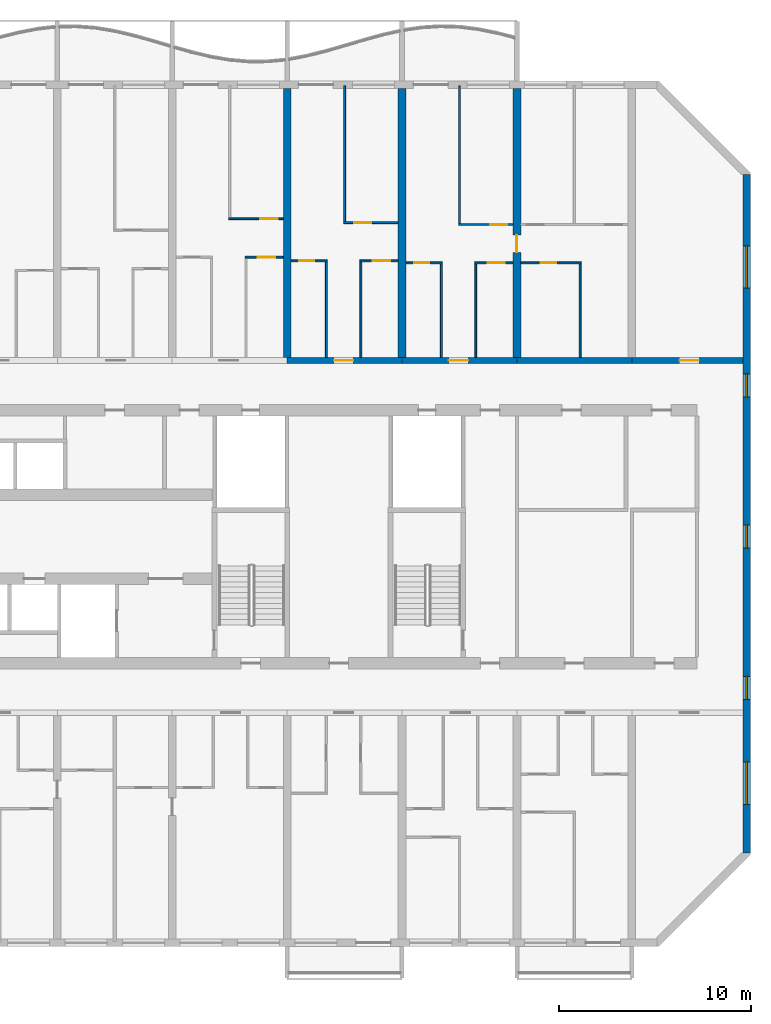
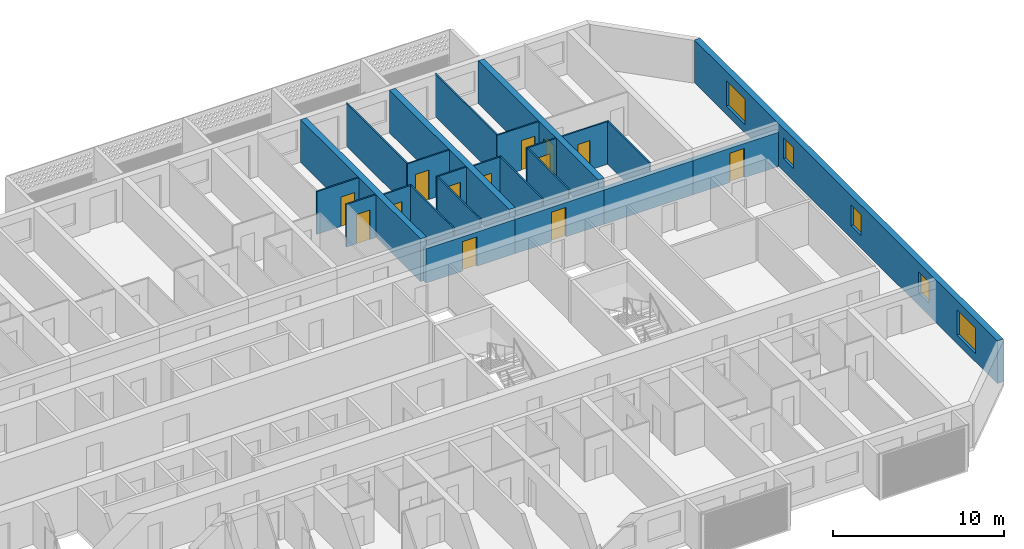
# One storey, part 15 of 39: 24 walls, 13 doors, 5 windows, 18 openings.
"""IFC4 building model written with IfcOpenShell, lengths in metres."""

from ifc_helpers import new_model, si_unit, direction, frame, frame_2d, origin, place, context, subcontext, project, spatial, rectangle, extrude, material, layer, layer_set, type_object, element, fill, save


model = new_model("IFC4")

# Units and contexts
model_context = context("Model", 3, precision=1e-05, world=origin(), true_north=direction((0.0, 1.0)))
body_context = subcontext(model_context, "Body", "Model", "MODEL_VIEW")
ifc_project = project(units=[si_unit("LENGTHUNIT", "METRE"), si_unit("AREAUNIT", "SQUARE_METRE"), si_unit("VOLUMEUNIT", "CUBIC_METRE"), si_unit("PLANEANGLEUNIT", "RADIAN"), si_unit("MASSUNIT", "GRAM", prefix="KILO")], contexts=[model_context])

# Site, building, storey
site_placement = place(None, origin())
site = spatial("IfcSite", under=ifc_project, at=site_placement, CompositionType="ELEMENT")
building_placement = place(site_placement, origin())
building = spatial("IfcBuilding", under=site, at=building_placement, Name="Poui Terraces", CompositionType="ELEMENT")
storey_placement = place(building_placement, frame((0.0, 0.0, 59.699951171875)))
storey = spatial("IfcBuildingStorey", under=building, at=storey_placement, Name="L16", CompositionType="ELEMENT", Elevation=59.699951171875)

# Wall, opening, door
ifc_material_1 = material(Name="Concrete 80 MPa", Category="concrete")
ifc_layer_1 = layer(ifc_material_1, 0.300048828125)
ifc_layer_set_1 = layer_set([ifc_layer_1], Name="Concrete 80 MPa")
wall_type_1 = type_object("IfcWallType", Name="CORRIDOR WALL 300 80MPa", PredefinedType="SHEAR", material=ifc_layer_set_1)
wall_1_placement = place(storey_placement, frame((72.0, 30.39990234375, 0.0), z_axis=(0.0, 0.0, 1.0), x_axis=(1.0, 0.0, 0.0)))
wall_1 = element("IfcWall", 1, at=wall_1_placement, inside=storey, type_object=wall_type_1, Name="CORRIDOR WALL LINE E BAY 12", PredefinedType="SHEAR", context=body_context, shape_type="SweptSolid", body=[
    extrude(rectangle(XDim=6.0, YDim=0.300048828125, at=frame_2d((3.0, 0.0))), origin(), (0.0, 0.0, 1.0), 2.449951171875),
])
opening_1_placement = place(wall_1_placement, frame((2.449951171875, 0.0, 0.0)))
opening_1 = element("IfcOpeningElement", 2, at=opening_1_placement, cuts=wall_1, Name="Opening FD30S", PredefinedType="OPENING", context=body_context, shape_type="SweptSolid", body=[
    extrude(rectangle(XDim=1.0, YDim=2.10009765625, at=frame_2d((0.5, 1.050048828125))), frame((0.0, 0.16015625, 0.0), z_axis=(0.0, -1.0, 0.0), x_axis=(1.0, 0.0, 0.0)), (0.0, 0.0, 1.0), 0.320068359375),
])
ifc_material_2 = material(Name="Steel fire door", Category="steel")
door_type_1 = type_object("IfcDoorType", Name="FLAT ENTRANCE DOOR 1000 X 2100", OperationType="NOTDEFINED", PredefinedType="DOOR", material=ifc_material_2)
door_1_placement = place(opening_1_placement, origin())
door_1 = element("IfcDoor", 3, at=door_1_placement, inside=storey, type_object=door_type_1, Name="FLAT ENTRANCE DOOR 072", OperationType="SINGLE_SWING_LEFT", OverallHeight=2.10009765625, OverallWidth=1.0, PredefinedType="DOOR", context=body_context, shape_type="SweptSolid", body=[
    extrude(rectangle(XDim=1.0, YDim=2.10009765625, at=frame_2d((0.5, 1.050048828125))), frame((0.0, 0.02490234375, 0.0), z_axis=(0.0, -1.0, 0.0), x_axis=(1.0, 0.0, 0.0)), (0.0, 0.0, 1.0), 0.050048828125),
])
fill(opening_1, door_1)

wall_2_placement = place(storey_placement, frame((78.0, 30.39990234375, 0.0), z_axis=(0.0, 0.0, 1.0), x_axis=(1.0, 0.0, 0.0)))
wall_2 = element("IfcWall", 4, at=wall_2_placement, inside=storey, type_object=wall_type_1, Name="CORRIDOR WALL LINE E BAY 13", PredefinedType="SHEAR", context=body_context, shape_type="SweptSolid", body=[
    extrude(rectangle(XDim=6.0, YDim=0.300048828125, at=frame_2d((3.0, 0.0))), origin(), (0.0, 0.0, 1.0), 2.449951171875),
])
opening_2_placement = place(wall_2_placement, frame((2.449951171875, 0.0, 0.0)))
opening_2 = element("IfcOpeningElement", 5, at=opening_2_placement, cuts=wall_2, Name="Opening FD30S", PredefinedType="OPENING", context=body_context, shape_type="SweptSolid", body=[
    extrude(rectangle(XDim=1.0, YDim=2.10009765625, at=frame_2d((0.5, 1.050048828125))), frame((0.0, 0.16015625, 0.0), z_axis=(0.0, -1.0, 0.0), x_axis=(1.0, 0.0, 0.0)), (0.0, 0.0, 1.0), 0.320068359375),
])
door_2_placement = place(opening_2_placement, origin())
door_2 = element("IfcDoor", 6, at=door_2_placement, inside=storey, type_object=door_type_1, Name="FLAT ENTRANCE DOOR 079", OperationType="SINGLE_SWING_LEFT", OverallHeight=2.10009765625, OverallWidth=1.0, PredefinedType="DOOR", context=body_context, shape_type="SweptSolid", body=[
    extrude(rectangle(XDim=1.0, YDim=2.10009765625, at=frame_2d((0.5, 1.050048828125))), frame((0.0, 0.02490234375, 0.0), z_axis=(0.0, -1.0, 0.0), x_axis=(1.0, 0.0, 0.0)), (0.0, 0.0, 1.0), 0.050048828125),
])
fill(opening_2, door_2)

# Wall
wall_3_placement = place(storey_placement, frame((84.0, 30.39990234375, 0.0), z_axis=(0.0, 0.0, 1.0), x_axis=(1.0, 0.0, 0.0)))
element("IfcWall", 7, at=wall_3_placement, inside=storey, type_object=wall_type_1, Name="CORRIDOR WALL LINE E BAY 14", PredefinedType="SHEAR", context=body_context, shape_type="SweptSolid", body=[
    extrude(rectangle(XDim=6.0, YDim=0.300048828125, at=frame_2d((3.0, 0.0))), origin(), (0.0, 0.0, 1.0), 2.449951171875),
])

# Wall, opening, door
wall_4_placement = place(storey_placement, frame((90.0, 30.39990234375, 0.0), z_axis=(0.0, 0.0, 1.0), x_axis=(1.0, 0.0, 0.0)))
wall_4 = element("IfcWall", 8, at=wall_4_placement, inside=storey, type_object=wall_type_1, Name="CORRIDOR WALL LINE E BAY 15", PredefinedType="SHEAR", context=body_context, shape_type="SweptSolid", body=[
    extrude(rectangle(XDim=5.800048828125, YDim=0.300048828125, at=frame_2d((2.89990234375, 0.0))), origin(), (0.0, 0.0, 1.0), 2.449951171875),
])
opening_3_placement = place(wall_4_placement, frame((2.5, 0.0, 0.0)))
opening_3 = element("IfcOpeningElement", 9, at=opening_3_placement, cuts=wall_4, Name="Opening D100", PredefinedType="OPENING", context=body_context, shape_type="SweptSolid", body=[
    extrude(rectangle(XDim=1.0, YDim=2.10009765625, at=frame_2d((0.5, 1.050048828125))), frame((0.0, 0.16015625, 0.0), z_axis=(0.0, -1.0, 0.0), x_axis=(1.0, 0.0, 0.0)), (0.0, 0.0, 1.0), 0.320068359375),
])
ifc_material_3 = material(Name="Solid core timber door", Category="wood")
door_type_2 = type_object("IfcDoorType", Name="ACCESSIBLE INTERNAL DOOR 1000 X 2100", OperationType="NOTDEFINED", PredefinedType="DOOR", material=ifc_material_3)
door_3_placement = place(opening_3_placement, origin())
door_3 = element("IfcDoor", 10, at=door_3_placement, inside=storey, type_object=door_type_2, Name="ACCESSIBLE INTERNAL DOOR 083", OperationType="SINGLE_SWING_LEFT", OverallHeight=2.10009765625, OverallWidth=1.0, PredefinedType="DOOR", context=body_context, shape_type="SweptSolid", body=[
    extrude(rectangle(XDim=1.0, YDim=2.10009765625, at=frame_2d((0.5, 1.050048828125))), frame((0.0, 0.02490234375, 0.0), z_axis=(0.0, -1.0, 0.0), x_axis=(1.0, 0.0, 0.0)), (0.0, 0.0, 1.0), 0.050048828125),
])
fill(opening_3, door_3)

# Walls
ifc_layer_2 = layer(ifc_material_1, 0.39990234375)
ifc_layer_set_2 = layer_set([ifc_layer_2], Name="Concrete 80 MPa")
wall_type_2 = type_object("IfcWallType", Name="CROSS WALL 400 80MPa", PredefinedType="SHEAR", material=ifc_layer_set_2)
for number, where, z_axis, x_axis, name in (
    (11, (72.0, 30.550048828125, 0.0), (0.0, 0.0, 1.0), (0.0, 1.0, 0.0), "CROSS WALL LINE 13 NORTH"),
    (12, (78.0, 30.550048828125, 0.0), (0.0, 0.0, 1.0), (0.0, 1.0, 0.0), "CROSS WALL LINE 14 NORTH"),
):
    element("IfcWall", number, at=place(storey_placement, frame(where, z_axis=z_axis, x_axis=x_axis)), inside=storey, type_object=wall_type_2, Name=name, PredefinedType="SHEAR", context=body_context, shape_type="SweptSolid", body=[
        extrude(rectangle(XDim=14.050048828125, YDim=0.39990234375, at=frame_2d((7.02490234375, 0.0))), origin(), (0.0, 0.0, 1.0), 3.050048828125),
    ])

# Wall, opening, door
wall_5_placement = place(storey_placement, frame((84.0, 30.550048828125, 0.0), z_axis=(0.0, 0.0, 1.0), x_axis=(0.0, 1.0, 0.0)))
wall_5 = element("IfcWall", 13, at=wall_5_placement, inside=storey, type_object=wall_type_2, Name="CROSS WALL LINE 15 NORTH", PredefinedType="SHEAR", context=body_context, shape_type="SweptSolid", body=[
    extrude(rectangle(XDim=14.050048828125, YDim=0.39990234375, at=frame_2d((7.02490234375, 0.0))), origin(), (0.0, 0.0, 1.0), 3.050048828125),
])
opening_4_placement = place(wall_5_placement, frame((5.5, 0.0, 0.0)))
opening_4 = element("IfcOpeningElement", 14, at=opening_4_placement, cuts=wall_5, Name="Opening D90", PredefinedType="OPENING", context=body_context, shape_type="SweptSolid", body=[
    extrude(rectangle(XDim=0.89990234375, YDim=2.10009765625, at=frame_2d((0.449951171875, 1.050048828125))), frame((0.0, 0.2099609375, 0.0), z_axis=(0.0, -1.0, 0.0), x_axis=(1.0, 0.0, 0.0)), (0.0, 0.0, 1.0), 0.419921875),
])
door_type_3 = type_object("IfcDoorType", Name="INTERNAL DOOR 900 X 2100", OperationType="NOTDEFINED", PredefinedType="DOOR", material=ifc_material_3)
door_4_placement = place(opening_4_placement, origin())
door_4 = element("IfcDoor", 15, at=door_4_placement, inside=storey, type_object=door_type_3, Name="INTERNAL DOOR 082", OperationType="SINGLE_SWING_LEFT", OverallHeight=2.10009765625, OverallWidth=0.89990234375, PredefinedType="DOOR", context=body_context, shape_type="SweptSolid", body=[
    extrude(rectangle(XDim=0.89990234375, YDim=2.10009765625, at=frame_2d((0.449951171875, 1.050048828125))), frame((0.0, 0.02490234375, 0.0), z_axis=(0.0, -1.0, 0.0), x_axis=(1.0, 0.0, 0.0)), (0.0, 0.0, 1.0), 0.050048828125),
])
fill(opening_4, door_4)

# Wall, openings, windows
ifc_layer_3 = layer(ifc_material_1, 0.39990234375)
ifc_layer_set_3 = layer_set([ifc_layer_3], Name="Concrete 80 MPa")
wall_type_3 = type_object("IfcWallType", Name="END WALL 400 80MPa", PredefinedType="SHEAR", material=ifc_layer_set_3)
wall_6_placement = place(storey_placement, frame((96.0, 4.682861328125, 0.0), z_axis=(0.0, 0.0, 1.0), x_axis=(0.0, 1.0, 0.0)))
wall_6 = element("IfcWall", 16, at=wall_6_placement, inside=storey, type_object=wall_type_3, Name="END WALL EAST", PredefinedType="SHEAR", context=body_context, shape_type="SweptSolid", body=[
    extrude(rectangle(XDim=35.434326171875, YDim=0.39990234375, at=frame_2d((17.71728515625, 0.0))), origin(), (0.0, 0.0, 1.0), 3.050048828125),
])
opening_5_placement = place(wall_6_placement, frame((15.917236328125, 0.0, 0.89990234375)))
opening_5 = element("IfcOpeningElement", 17, at=opening_5_placement, cuts=wall_6, Name="Opening W2", PredefinedType="OPENING", context=body_context, shape_type="SweptSolid", body=[
    extrude(rectangle(XDim=1.199951171875, YDim=1.5, at=frame_2d((0.60009765625, 0.75))), frame((0.0, 0.2099609375, 0.0), z_axis=(0.0, -1.0, 0.0), x_axis=(1.0, 0.0, 0.0)), (0.0, 0.0, 1.0), 0.419921875),
])
opening_6_placement = place(wall_6_placement, frame((23.817138671875, 0.0, 0.89990234375)))
opening_6 = element("IfcOpeningElement", 18, at=opening_6_placement, cuts=wall_6, Name="Opening W2", PredefinedType="OPENING", context=body_context, shape_type="SweptSolid", body=[
    extrude(rectangle(XDim=1.199951171875, YDim=1.5, at=frame_2d((0.60009765625, 0.75))), frame((0.0, 0.2099609375, 0.0), z_axis=(0.0, -1.0, 0.0), x_axis=(1.0, 0.0, 0.0)), (0.0, 0.0, 1.0), 0.419921875),
])
opening_7_placement = place(wall_6_placement, frame((8.01708984375, 0.0, 0.89990234375)))
opening_7 = element("IfcOpeningElement", 19, at=opening_7_placement, cuts=wall_6, Name="Opening W2", PredefinedType="OPENING", context=body_context, shape_type="SweptSolid", body=[
    extrude(rectangle(XDim=1.199951171875, YDim=1.5, at=frame_2d((0.60009765625, 0.75))), frame((0.0, 0.2099609375, 0.0), z_axis=(0.0, -1.0, 0.0), x_axis=(1.0, 0.0, 0.0)), (0.0, 0.0, 1.0), 0.419921875),
])
opening_8_placement = place(wall_6_placement, frame((29.493408203125, 0.0, 0.60009765625)))
opening_8 = element("IfcOpeningElement", 20, at=opening_8_placement, cuts=wall_6, Name="Opening W3", PredefinedType="OPENING", context=body_context, shape_type="SweptSolid", body=[
    extrude(rectangle(XDim=2.199951171875, YDim=1.800048828125, at=frame_2d((1.10009765625, 0.89990234375))), frame((0.0, 0.2099609375, 0.0), z_axis=(0.0, -1.0, 0.0), x_axis=(1.0, 0.0, 0.0)), (0.0, 0.0, 1.0), 0.419921875),
])
opening_9_placement = place(wall_6_placement, frame((2.541015625, 0.0, 0.60009765625)))
opening_9 = element("IfcOpeningElement", 21, at=opening_9_placement, cuts=wall_6, Name="Opening W3", PredefinedType="OPENING", context=body_context, shape_type="SweptSolid", body=[
    extrude(rectangle(XDim=2.199951171875, YDim=1.800048828125, at=frame_2d((1.10009765625, 0.89990234375))), frame((0.0, 0.2099609375, 0.0), z_axis=(0.0, -1.0, 0.0), x_axis=(1.0, 0.0, 0.0)), (0.0, 0.0, 1.0), 0.419921875),
])
ifc_material_4 = material(Name="Clear glass in aluminium frame", Category="aluminium")
window_type_1 = type_object("IfcWindowType", Name="WINDOW 1200X1500", PartitioningType="SINGLE_PANEL", PredefinedType="WINDOW", material=ifc_material_4)
window_1_placement = place(opening_5_placement, origin())
window_1 = element("IfcWindow", 22, at=window_1_placement, inside=storey, type_object=window_type_1, Name="W2 WINDOW", OverallHeight=1.5, OverallWidth=1.199951171875, PartitioningType="SINGLE_PANEL", PredefinedType="WINDOW", context=body_context, shape_type="SweptSolid", body=[
    extrude(rectangle(XDim=1.199951171875, YDim=1.5, at=frame_2d((0.60009765625, 0.75))), frame((0.0, 0.030029296875, 0.0), z_axis=(0.0, -1.0, 0.0), x_axis=(1.0, 0.0, 0.0)), (0.0, 0.0, 1.0), 0.06005859375),
])
fill(opening_5, window_1)
window_2_placement = place(opening_6_placement, origin())
window_2 = element("IfcWindow", 23, at=window_2_placement, inside=storey, type_object=window_type_1, Name="W2 WINDOW", OverallHeight=1.5, OverallWidth=1.199951171875, PartitioningType="SINGLE_PANEL", PredefinedType="WINDOW", context=body_context, shape_type="SweptSolid", body=[
    extrude(rectangle(XDim=1.199951171875, YDim=1.5, at=frame_2d((0.60009765625, 0.75))), frame((0.0, 0.030029296875, 0.0), z_axis=(0.0, -1.0, 0.0), x_axis=(1.0, 0.0, 0.0)), (0.0, 0.0, 1.0), 0.06005859375),
])
fill(opening_6, window_2)
window_3_placement = place(opening_7_placement, origin())
window_3 = element("IfcWindow", 24, at=window_3_placement, inside=storey, type_object=window_type_1, Name="W2 WINDOW", OverallHeight=1.5, OverallWidth=1.199951171875, PartitioningType="SINGLE_PANEL", PredefinedType="WINDOW", context=body_context, shape_type="SweptSolid", body=[
    extrude(rectangle(XDim=1.199951171875, YDim=1.5, at=frame_2d((0.60009765625, 0.75))), frame((0.0, 0.030029296875, 0.0), z_axis=(0.0, -1.0, 0.0), x_axis=(1.0, 0.0, 0.0)), (0.0, 0.0, 1.0), 0.06005859375),
])
fill(opening_7, window_3)
window_type_2 = type_object("IfcWindowType", Name="WINDOW 2200X1800", PartitioningType="DOUBLE_PANEL_HORIZONTAL", PredefinedType="WINDOW", material=ifc_material_4)
window_4_placement = place(opening_8_placement, origin())
window_4 = element("IfcWindow", 25, at=window_4_placement, inside=storey, type_object=window_type_2, Name="W3 WINDOW", OverallHeight=1.800048828125, OverallWidth=2.199951171875, PartitioningType="DOUBLE_PANEL_HORIZONTAL", PredefinedType="WINDOW", context=body_context, shape_type="SweptSolid", body=[
    extrude(rectangle(XDim=2.199951171875, YDim=1.800048828125, at=frame_2d((1.10009765625, 0.89990234375))), frame((0.0, 0.030029296875, 0.0), z_axis=(0.0, -1.0, 0.0), x_axis=(1.0, 0.0, 0.0)), (0.0, 0.0, 1.0), 0.06005859375),
])
fill(opening_8, window_4)
window_5_placement = place(opening_9_placement, origin())
window_5 = element("IfcWindow", 26, at=window_5_placement, inside=storey, type_object=window_type_2, Name="W3 WINDOW", OverallHeight=1.800048828125, OverallWidth=2.199951171875, PartitioningType="DOUBLE_PANEL_HORIZONTAL", PredefinedType="WINDOW", context=body_context, shape_type="SweptSolid", body=[
    extrude(rectangle(XDim=2.199951171875, YDim=1.800048828125, at=frame_2d((1.10009765625, 0.89990234375))), frame((0.0, 0.030029296875, 0.0), z_axis=(0.0, -1.0, 0.0), x_axis=(1.0, 0.0, 0.0)), (0.0, 0.0, 1.0), 0.06005859375),
])
fill(opening_9, window_5)

# Wall, opening, door
ifc_material_5 = material(Name="Plasterboard partition")
ifc_layer_4 = layer(ifc_material_5, 0.10009765625)
ifc_layer_set_4 = layer_set([ifc_layer_4], Name="Plasterboard partition")
wall_type_4 = type_object("IfcWallType", Name="FLAT PARTITION 100", PredefinedType="PARTITIONING", material=ifc_layer_set_4)
wall_7_placement = place(storey_placement, frame((78.2099609375, 35.5, 0.0), z_axis=(0.0, 0.0, 1.0), x_axis=(1.0, 0.0, 0.0)))
wall_7 = element("IfcWall", 27, at=wall_7_placement, inside=storey, type_object=wall_type_4, Name="FLAT PARTITION 100", PredefinedType="PARTITIONING", context=body_context, shape_type="SweptSolid", body=[
    extrude(rectangle(XDim=1.89013671875, YDim=0.10009765625, at=frame_2d((0.945068359375, 0.0))), origin(), (0.0, 0.0, 1.0), 3.050048828125),
])
opening_10_placement = place(wall_7_placement, frame((0.4150390625, 0.0, 0.0)))
opening_10 = element("IfcOpeningElement", 28, at=opening_10_placement, cuts=wall_7, Name="Opening D80", PredefinedType="OPENING", context=body_context, shape_type="SweptSolid", body=[
    extrude(rectangle(XDim=0.800048828125, YDim=2.10009765625, at=frame_2d((0.39990234375, 1.050048828125))), frame((0.0, 0.06005859375, 0.0), z_axis=(0.0, -1.0, 0.0), x_axis=(1.0, 0.0, 0.0)), (0.0, 0.0, 1.0), 0.1201171875),
])
door_type_4 = type_object("IfcDoorType", Name="BATHROOM, LAUNDRY AND STORE DOOR 800 X 2100", OperationType="NOTDEFINED", PredefinedType="DOOR", material=ifc_material_3)
door_5_placement = place(opening_10_placement, frame((0.800048828125, 0.0, 0.0), z_axis=(0.0, 0.0, 1.0), x_axis=(-1.0, 0.0, 0.0)))
door_5 = element("IfcDoor", 29, at=door_5_placement, inside=storey, type_object=door_type_4, Name="BATHROOM, LAUNDRY AND STORE DOOR 078", OperationType="SINGLE_SWING_RIGHT", OverallHeight=2.10009765625, OverallWidth=0.800048828125, PredefinedType="DOOR", context=body_context, shape_type="SweptSolid", body=[
    extrude(rectangle(XDim=0.800048828125, YDim=2.10009765625, at=frame_2d((0.39990234375, 1.050048828125))), frame((0.0, 0.02490234375, 0.0), z_axis=(0.0, -1.0, 0.0), x_axis=(1.0, 0.0, 0.0)), (0.0, 0.0, 1.0), 0.050048828125),
])
fill(opening_10, door_5)

wall_8_placement = place(storey_placement, frame((81.800048828125, 35.5, 0.0), z_axis=(0.0, 0.0, 1.0), x_axis=(1.0, 0.0, 0.0)))
wall_8 = element("IfcWall", 30, at=wall_8_placement, inside=storey, type_object=wall_type_4, Name="FLAT PARTITION 100", PredefinedType="PARTITIONING", context=body_context, shape_type="SweptSolid", body=[
    extrude(rectangle(XDim=1.989990234375, YDim=0.10009765625, at=frame_2d((0.9951171875, 0.0))), origin(), (0.0, 0.0, 1.0), 3.050048828125),
])
opening_11_placement = place(wall_8_placement, frame((0.675048828125, 0.0, 0.0)))
opening_11 = element("IfcOpeningElement", 31, at=opening_11_placement, cuts=wall_8, Name="Opening D90", PredefinedType="OPENING", context=body_context, shape_type="SweptSolid", body=[
    extrude(rectangle(XDim=0.89990234375, YDim=2.10009765625, at=frame_2d((0.449951171875, 1.050048828125))), frame((0.0, 0.06005859375, 0.0), z_axis=(0.0, -1.0, 0.0), x_axis=(1.0, 0.0, 0.0)), (0.0, 0.0, 1.0), 0.1201171875),
])
door_6_placement = place(opening_11_placement, frame((0.89990234375, 0.0, 0.0), z_axis=(0.0, 0.0, 1.0), x_axis=(-1.0, 0.0, 0.0)))
door_6 = element("IfcDoor", 32, at=door_6_placement, inside=storey, type_object=door_type_3, Name="INTERNAL DOOR 080", OperationType="SINGLE_SWING_LEFT", OverallHeight=2.10009765625, OverallWidth=0.89990234375, PredefinedType="DOOR", context=body_context, shape_type="SweptSolid", body=[
    extrude(rectangle(XDim=0.89990234375, YDim=2.10009765625, at=frame_2d((0.449951171875, 1.050048828125))), frame((0.0, 0.02490234375, 0.0), z_axis=(0.0, -1.0, 0.0), x_axis=(1.0, 0.0, 0.0)), (0.0, 0.0, 1.0), 0.050048828125),
])
fill(opening_11, door_6)

wall_9_placement = place(storey_placement, frame((84.2099609375, 35.5, 0.0), z_axis=(0.0, 0.0, 1.0), x_axis=(1.0, 0.0, 0.0)))
wall_9 = element("IfcWall", 33, at=wall_9_placement, inside=storey, type_object=wall_type_4, Name="FLAT PARTITION 100", PredefinedType="PARTITIONING", context=body_context, shape_type="SweptSolid", body=[
    extrude(rectangle(XDim=3.14013671875, YDim=0.10009765625, at=frame_2d((1.570068359375, 0.0))), origin(), (0.0, 0.0, 1.0), 3.050048828125),
])
opening_12_placement = place(wall_9_placement, frame((1.0400390625, 0.0, 0.0)))
opening_12 = element("IfcOpeningElement", 34, at=opening_12_placement, cuts=wall_9, Name="Opening D80", PredefinedType="OPENING", context=body_context, shape_type="SweptSolid", body=[
    extrude(rectangle(XDim=0.800048828125, YDim=2.10009765625, at=frame_2d((0.39990234375, 1.050048828125))), frame((0.0, 0.06005859375, 0.0), z_axis=(0.0, -1.0, 0.0), x_axis=(1.0, 0.0, 0.0)), (0.0, 0.0, 1.0), 0.1201171875),
])
door_7_placement = place(opening_12_placement, origin())
door_7 = element("IfcDoor", 35, at=door_7_placement, inside=storey, type_object=door_type_4, Name="BATHROOM, LAUNDRY AND STORE DOOR 076", OperationType="SINGLE_SWING_RIGHT", OverallHeight=2.10009765625, OverallWidth=0.800048828125, PredefinedType="DOOR", context=body_context, shape_type="SweptSolid", body=[
    extrude(rectangle(XDim=0.800048828125, YDim=2.10009765625, at=frame_2d((0.39990234375, 1.050048828125))), frame((0.0, 0.02490234375, 0.0), z_axis=(0.0, -1.0, 0.0), x_axis=(1.0, 0.0, 0.0)), (0.0, 0.0, 1.0), 0.050048828125),
])
fill(opening_12, door_7)

wall_10_placement = place(storey_placement, frame((72.2099609375, 35.60009765625, 0.0), z_axis=(0.0, 0.0, 1.0), x_axis=(1.0, 0.0, 0.0)))
wall_10 = element("IfcWall", 36, at=wall_10_placement, inside=storey, type_object=wall_type_4, Name="FLAT PARTITION 100", PredefinedType="PARTITIONING", context=body_context, shape_type="SweptSolid", body=[
    extrude(rectangle(XDim=1.89013671875, YDim=0.10009765625, at=frame_2d((0.945068359375, 0.0))), origin(), (0.0, 0.0, 1.0), 3.050048828125),
])
opening_13_placement = place(wall_10_placement, frame((0.4150390625, 0.0, 0.0)))
opening_13 = element("IfcOpeningElement", 37, at=opening_13_placement, cuts=wall_10, Name="Opening D80", PredefinedType="OPENING", context=body_context, shape_type="SweptSolid", body=[
    extrude(rectangle(XDim=0.800048828125, YDim=2.10009765625, at=frame_2d((0.39990234375, 1.050048828125))), frame((0.0, 0.06005859375, 0.0), z_axis=(0.0, -1.0, 0.0), x_axis=(1.0, 0.0, 0.0)), (0.0, 0.0, 1.0), 0.1201171875),
])
door_8_placement = place(opening_13_placement, frame((0.800048828125, 0.0, 0.0), z_axis=(0.0, 0.0, 1.0), x_axis=(-1.0, 0.0, 0.0)))
door_8 = element("IfcDoor", 38, at=door_8_placement, inside=storey, type_object=door_type_4, Name="BATHROOM, LAUNDRY AND STORE DOOR 071", OperationType="SINGLE_SWING_LEFT", OverallHeight=2.10009765625, OverallWidth=0.800048828125, PredefinedType="DOOR", context=body_context, shape_type="SweptSolid", body=[
    extrude(rectangle(XDim=0.800048828125, YDim=2.10009765625, at=frame_2d((0.39990234375, 1.050048828125))), frame((0.0, 0.02490234375, 0.0), z_axis=(0.0, -1.0, 0.0), x_axis=(1.0, 0.0, 0.0)), (0.0, 0.0, 1.0), 0.050048828125),
])
fill(opening_13, door_8)

wall_11_placement = place(storey_placement, frame((75.800048828125, 35.60009765625, 0.0), z_axis=(0.0, 0.0, 1.0), x_axis=(1.0, 0.0, 0.0)))
wall_11 = element("IfcWall", 39, at=wall_11_placement, inside=storey, type_object=wall_type_4, Name="FLAT PARTITION 100", PredefinedType="PARTITIONING", context=body_context, shape_type="SweptSolid", body=[
    extrude(rectangle(XDim=1.989990234375, YDim=0.10009765625, at=frame_2d((0.9951171875, 0.0))), origin(), (0.0, 0.0, 1.0), 3.050048828125),
])
opening_14_placement = place(wall_11_placement, frame((0.675048828125, 0.0, 0.0)))
opening_14 = element("IfcOpeningElement", 40, at=opening_14_placement, cuts=wall_11, Name="Opening D90", PredefinedType="OPENING", context=body_context, shape_type="SweptSolid", body=[
    extrude(rectangle(XDim=0.89990234375, YDim=2.10009765625, at=frame_2d((0.449951171875, 1.050048828125))), frame((0.0, 0.06005859375, 0.0), z_axis=(0.0, -1.0, 0.0), x_axis=(1.0, 0.0, 0.0)), (0.0, 0.0, 1.0), 0.1201171875),
])
door_9_placement = place(opening_14_placement, frame((0.89990234375, 0.0, 0.0), z_axis=(0.0, 0.0, 1.0), x_axis=(-1.0, 0.0, 0.0)))
door_9 = element("IfcDoor", 41, at=door_9_placement, inside=storey, type_object=door_type_3, Name="INTERNAL DOOR 074", OperationType="SINGLE_SWING_RIGHT", OverallHeight=2.10009765625, OverallWidth=0.89990234375, PredefinedType="DOOR", context=body_context, shape_type="SweptSolid", body=[
    extrude(rectangle(XDim=0.89990234375, YDim=2.10009765625, at=frame_2d((0.449951171875, 1.050048828125))), frame((0.0, 0.02490234375, 0.0), z_axis=(0.0, -1.0, 0.0), x_axis=(1.0, 0.0, 0.0)), (0.0, 0.0, 1.0), 0.050048828125),
])
fill(opening_14, door_9)

wall_12_placement = place(storey_placement, frame((69.800048828125, 35.800048828125, 0.0), z_axis=(0.0, 0.0, 1.0), x_axis=(1.0, 0.0, 0.0)))
wall_12 = element("IfcWall", 42, at=wall_12_placement, inside=storey, type_object=wall_type_4, Name="FLAT PARTITION 100", PredefinedType="PARTITIONING", context=body_context, shape_type="SweptSolid", body=[
    extrude(rectangle(XDim=1.989990234375, YDim=0.10009765625, at=frame_2d((0.9951171875, 0.0))), origin(), (0.0, 0.0, 1.0), 3.050048828125),
])
opening_15_placement = place(wall_12_placement, frame((0.675048828125, 0.0, 0.0)))
opening_15 = element("IfcOpeningElement", 43, at=opening_15_placement, cuts=wall_12, Name="Opening D90", PredefinedType="OPENING", context=body_context, shape_type="SweptSolid", body=[
    extrude(rectangle(XDim=0.89990234375, YDim=2.10009765625, at=frame_2d((0.449951171875, 1.050048828125))), frame((0.0, 0.06005859375, 0.0), z_axis=(0.0, -1.0, 0.0), x_axis=(1.0, 0.0, 0.0)), (0.0, 0.0, 1.0), 0.1201171875),
])
door_10_placement = place(opening_15_placement, frame((0.89990234375, 0.0, 0.0), z_axis=(0.0, 0.0, 1.0), x_axis=(-1.0, 0.0, 0.0)))
door_10 = element("IfcDoor", 44, at=door_10_placement, inside=storey, type_object=door_type_3, Name="INTERNAL DOOR 069", OperationType="SINGLE_SWING_LEFT", OverallHeight=2.10009765625, OverallWidth=0.89990234375, PredefinedType="DOOR", context=body_context, shape_type="SweptSolid", body=[
    extrude(rectangle(XDim=0.89990234375, YDim=2.10009765625, at=frame_2d((0.449951171875, 1.050048828125))), frame((0.0, 0.02490234375, 0.0), z_axis=(0.0, -1.0, 0.0), x_axis=(1.0, 0.0, 0.0)), (0.0, 0.0, 1.0), 0.050048828125),
])
fill(opening_15, door_10)

wall_13_placement = place(storey_placement, frame((80.949951171875, 37.5, 0.0), z_axis=(0.0, 0.0, 1.0), x_axis=(1.0, 0.0, 0.0)))
wall_13 = element("IfcWall", 45, at=wall_13_placement, inside=storey, type_object=wall_type_4, Name="FLAT PARTITION 100", PredefinedType="PARTITIONING", context=body_context, shape_type="SweptSolid", body=[
    extrude(rectangle(XDim=2.840087890625, YDim=0.10009765625, at=frame_2d((1.419921875, 0.0))), origin(), (0.0, 0.0, 1.0), 3.050048828125),
])
opening_16_placement = place(wall_13_placement, frame((1.64990234375, 0.0, 0.0)))
opening_16 = element("IfcOpeningElement", 46, at=opening_16_placement, cuts=wall_13, Name="Opening D90", PredefinedType="OPENING", context=body_context, shape_type="SweptSolid", body=[
    extrude(rectangle(XDim=0.89990234375, YDim=2.10009765625, at=frame_2d((0.449951171875, 1.050048828125))), frame((0.0, 0.06005859375, 0.0), z_axis=(0.0, -1.0, 0.0), x_axis=(1.0, 0.0, 0.0)), (0.0, 0.0, 1.0), 0.1201171875),
])
door_11_placement = place(opening_16_placement, frame((0.89990234375, 0.0, 0.0), z_axis=(0.0, 0.0, 1.0), x_axis=(-1.0, 0.0, 0.0)))
door_11 = element("IfcDoor", 47, at=door_11_placement, inside=storey, type_object=door_type_3, Name="INTERNAL DOOR 081", OperationType="SINGLE_SWING_RIGHT", OverallHeight=2.10009765625, OverallWidth=0.89990234375, PredefinedType="DOOR", context=body_context, shape_type="SweptSolid", body=[
    extrude(rectangle(XDim=0.89990234375, YDim=2.10009765625, at=frame_2d((0.449951171875, 1.050048828125))), frame((0.0, 0.02490234375, 0.0), z_axis=(0.0, -1.0, 0.0), x_axis=(1.0, 0.0, 0.0)), (0.0, 0.0, 1.0), 0.050048828125),
])
fill(opening_16, door_11)

wall_14_placement = place(storey_placement, frame((74.949951171875, 37.60009765625, 0.0), z_axis=(0.0, 0.0, 1.0), x_axis=(1.0, 0.0, 0.0)))
wall_14 = element("IfcWall", 48, at=wall_14_placement, inside=storey, type_object=wall_type_4, Name="FLAT PARTITION 100", PredefinedType="PARTITIONING", context=body_context, shape_type="SweptSolid", body=[
    extrude(rectangle(XDim=2.840087890625, YDim=0.10009765625, at=frame_2d((1.419921875, 0.0))), origin(), (0.0, 0.0, 1.0), 3.050048828125),
])
opening_17_placement = place(wall_14_placement, frame((0.550048828125, 0.0, 0.0)))
opening_17 = element("IfcOpeningElement", 49, at=opening_17_placement, cuts=wall_14, Name="Opening D90", PredefinedType="OPENING", context=body_context, shape_type="SweptSolid", body=[
    extrude(rectangle(XDim=0.89990234375, YDim=2.10009765625, at=frame_2d((0.449951171875, 1.050048828125))), frame((0.0, 0.06005859375, 0.0), z_axis=(0.0, -1.0, 0.0), x_axis=(1.0, 0.0, 0.0)), (0.0, 0.0, 1.0), 0.1201171875),
])
door_12_placement = place(opening_17_placement, frame((0.89990234375, 0.0, 0.0), z_axis=(0.0, 0.0, 1.0), x_axis=(-1.0, 0.0, 0.0)))
door_12 = element("IfcDoor", 50, at=door_12_placement, inside=storey, type_object=door_type_3, Name="INTERNAL DOOR 073", OperationType="SINGLE_SWING_LEFT", OverallHeight=2.10009765625, OverallWidth=0.89990234375, PredefinedType="DOOR", context=body_context, shape_type="SweptSolid", body=[
    extrude(rectangle(XDim=0.89990234375, YDim=2.10009765625, at=frame_2d((0.449951171875, 1.050048828125))), frame((0.0, 0.02490234375, 0.0), z_axis=(0.0, -1.0, 0.0), x_axis=(1.0, 0.0, 0.0)), (0.0, 0.0, 1.0), 0.050048828125),
])
fill(opening_17, door_12)

wall_15_placement = place(storey_placement, frame((68.949951171875, 37.800048828125, 0.0), z_axis=(0.0, 0.0, 1.0), x_axis=(1.0, 0.0, 0.0)))
wall_15 = element("IfcWall", 51, at=wall_15_placement, inside=storey, type_object=wall_type_4, Name="FLAT PARTITION 100", PredefinedType="PARTITIONING", context=body_context, shape_type="SweptSolid", body=[
    extrude(rectangle(XDim=2.840087890625, YDim=0.10009765625, at=frame_2d((1.419921875, 0.0))), origin(), (0.0, 0.0, 1.0), 3.050048828125),
])
opening_18_placement = place(wall_15_placement, frame((1.64990234375, 0.0, 0.0)))
opening_18 = element("IfcOpeningElement", 52, at=opening_18_placement, cuts=wall_15, Name="Opening D90", PredefinedType="OPENING", context=body_context, shape_type="SweptSolid", body=[
    extrude(rectangle(XDim=0.89990234375, YDim=2.10009765625, at=frame_2d((0.449951171875, 1.050048828125))), frame((0.0, 0.06005859375, 0.0), z_axis=(0.0, -1.0, 0.0), x_axis=(1.0, 0.0, 0.0)), (0.0, 0.0, 1.0), 0.1201171875),
])
door_13_placement = place(opening_18_placement, frame((0.89990234375, 0.0, 0.0), z_axis=(0.0, 0.0, 1.0), x_axis=(-1.0, 0.0, 0.0)))
door_13 = element("IfcDoor", 53, at=door_13_placement, inside=storey, type_object=door_type_3, Name="INTERNAL DOOR 070", OperationType="SINGLE_SWING_RIGHT", OverallHeight=2.10009765625, OverallWidth=0.89990234375, PredefinedType="DOOR", context=body_context, shape_type="SweptSolid", body=[
    extrude(rectangle(XDim=0.89990234375, YDim=2.10009765625, at=frame_2d((0.449951171875, 1.050048828125))), frame((0.0, 0.02490234375, 0.0), z_axis=(0.0, -1.0, 0.0), x_axis=(1.0, 0.0, 0.0)), (0.0, 0.0, 1.0), 0.050048828125),
])
fill(opening_18, door_13)

# Walls
wall_16_placement = place(storey_placement, frame((74.050048828125, 30.56005859375, 0.0), z_axis=(0.0, 0.0, 1.0), x_axis=(0.0, 1.0, 0.0)))
element("IfcWall", 54, at=wall_16_placement, inside=storey, type_object=wall_type_4, Name="FLAT PARTITION 100", PredefinedType="PARTITIONING", context=body_context, shape_type="SweptSolid", body=[
    extrude(rectangle(XDim=4.989990234375, YDim=0.10009765625, at=frame_2d((2.4951171875, 0.0))), origin(), (0.0, 0.0, 1.0), 3.050048828125),
])
wall_17_placement = place(storey_placement, frame((75.0, 37.64990234375, 0.0), z_axis=(0.0, 0.0, 1.0), x_axis=(0.0, 1.0, 0.0)))
element("IfcWall", 55, at=wall_17_placement, inside=storey, type_object=wall_type_4, Name="FLAT PARTITION 100", PredefinedType="PARTITIONING", context=body_context, shape_type="SweptSolid", body=[
    extrude(rectangle(XDim=7.090087890625, YDim=0.10009765625, at=frame_2d((3.544921875, 0.0))), origin(), (0.0, 0.0, 1.0), 3.050048828125),
])
wall_18_placement = place(storey_placement, frame((75.85009765625, 30.56005859375, 0.0), z_axis=(0.0, 0.0, 1.0), x_axis=(0.0, 1.0, 0.0)))
element("IfcWall", 56, at=wall_18_placement, inside=storey, type_object=wall_type_4, Name="FLAT PARTITION 100", PredefinedType="PARTITIONING", context=body_context, shape_type="SweptSolid", body=[
    extrude(rectangle(XDim=4.989990234375, YDim=0.10009765625, at=frame_2d((2.4951171875, 0.0))), origin(), (0.0, 0.0, 1.0), 3.050048828125),
])
wall_19_placement = place(storey_placement, frame((80.050048828125, 30.56005859375, 0.0), z_axis=(0.0, 0.0, 1.0), x_axis=(0.0, 1.0, 0.0)))
element("IfcWall", 57, at=wall_19_placement, inside=storey, type_object=wall_type_4, Name="FLAT PARTITION 100", PredefinedType="PARTITIONING", context=body_context, shape_type="SweptSolid", body=[
    extrude(rectangle(XDim=4.889892578125, YDim=0.10009765625, at=frame_2d((2.44482421875, 0.0))), origin(), (0.0, 0.0, 1.0), 3.050048828125),
])
wall_20_placement = place(storey_placement, frame((81.0, 37.550048828125, 0.0), z_axis=(0.0, 0.0, 1.0), x_axis=(0.0, 1.0, 0.0)))
element("IfcWall", 58, at=wall_20_placement, inside=storey, type_object=wall_type_4, Name="FLAT PARTITION 100", PredefinedType="PARTITIONING", context=body_context, shape_type="SweptSolid", body=[
    extrude(rectangle(XDim=7.18994140625, YDim=0.10009765625, at=frame_2d((3.594970703125, 0.0))), origin(), (0.0, 0.0, 1.0), 3.050048828125),
])
for number, where, z_axis, x_axis, name in (
    (59, (81.85009765625, 30.56005859375, 0.0), (0.0, 0.0, 1.0), (0.0, 1.0, 0.0), "FLAT PARTITION 100"),
    (60, (87.300048828125, 30.56005859375, 0.0), (0.0, 0.0, 1.0), (0.0, 1.0, 0.0), "FLAT PARTITION 100"),
):
    element("IfcWall", number, at=place(storey_placement, frame(where, z_axis=z_axis, x_axis=x_axis)), inside=storey, type_object=wall_type_4, Name=name, PredefinedType="PARTITIONING", context=body_context, shape_type="SweptSolid", body=[
        extrude(rectangle(XDim=4.889892578125, YDim=0.10009765625, at=frame_2d((2.44482421875, 0.0))), origin(), (0.0, 0.0, 1.0), 3.050048828125),
    ])

save(model, "model.ifc")
